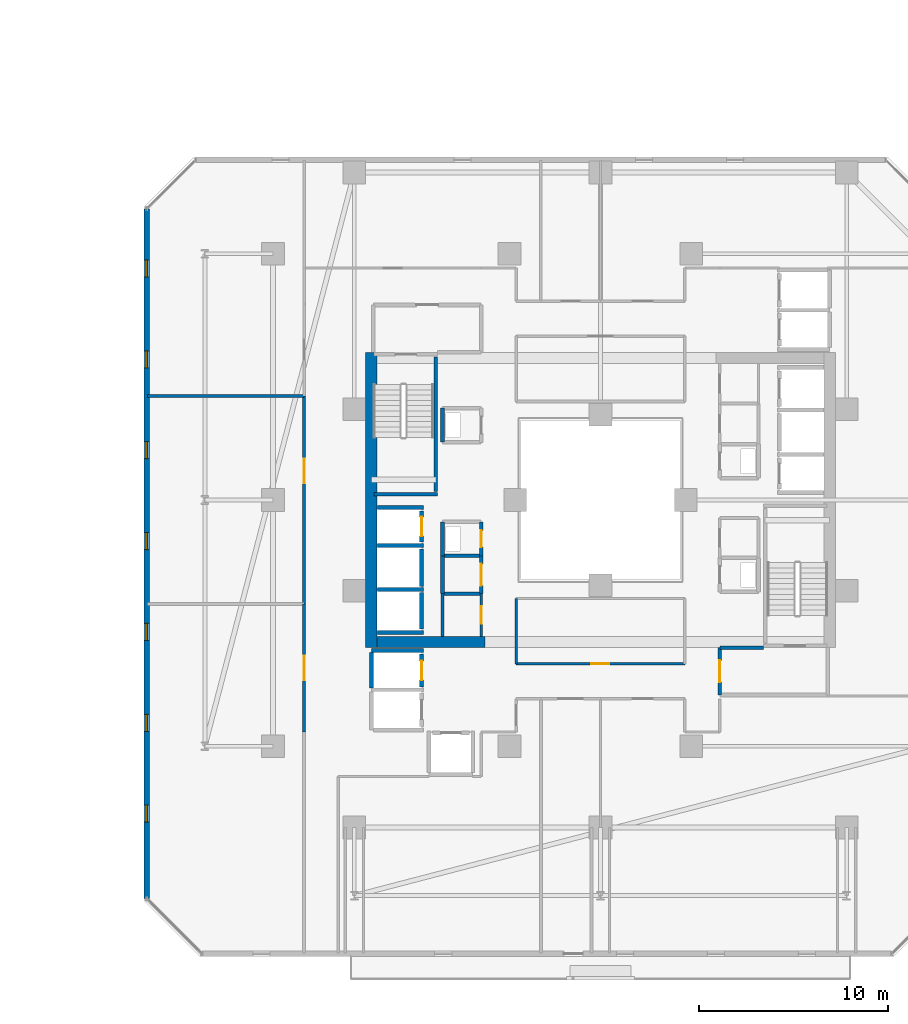
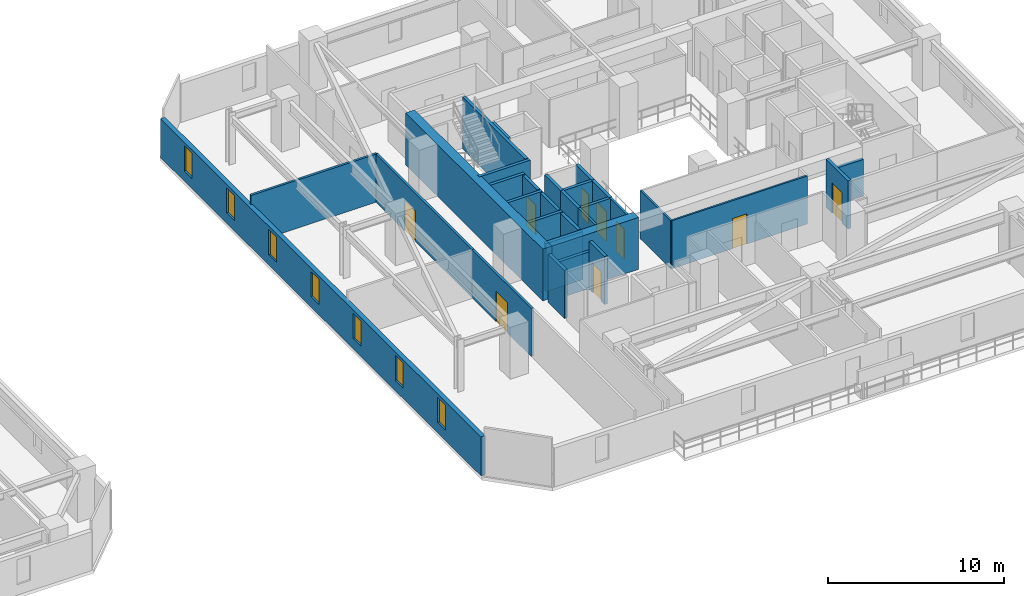
# One storey, part 24 of 33: 31 walls, 9 doors, 7 windows, 16 openings.
"""IFC4 building model written with IfcOpenShell, lengths in metres."""

from ifc_helpers import new_model, si_unit, direction, frame, frame_2d, origin, place, context, subcontext, project, spatial, rectangle, extrude, material, layer, layer_set, type_object, element, fill, save


model = new_model("IFC4")

# Units and contexts
model_context = context("Model", 3, precision=1e-05, world=origin(), true_north=direction((0.0, 1.0)))
body_context = subcontext(model_context, "Body", "Model", "MODEL_VIEW")
ifc_project = project(units=[si_unit("LENGTHUNIT", "METRE"), si_unit("AREAUNIT", "SQUARE_METRE"), si_unit("VOLUMEUNIT", "CUBIC_METRE"), si_unit("PLANEANGLEUNIT", "RADIAN"), si_unit("MASSUNIT", "GRAM", prefix="KILO")], contexts=[model_context])

# Site, building, storey
site_placement = place(None, origin())
site = spatial("IfcSite", under=ifc_project, at=site_placement, CompositionType="ELEMENT")
building_placement = place(site_placement, origin())
building = spatial("IfcBuilding", under=site, at=building_placement, Name="Thornwick Lancets Civic Towers", CompositionType="ELEMENT")
storey_placement = place(building_placement, frame((0.0, 0.0, 112.5)))
storey = spatial("IfcBuildingStorey", under=building, at=storey_placement, Name="L29", CompositionType="ELEMENT", Elevation=112.5)

# Wall, opening, door
ifc_material_1 = material(Name="Concrete blockwork C40/50", Category="masonry")
ifc_layer_1 = layer(ifc_material_1, 0.199951171875, Name="Concrete blockwork C40/50")
ifc_layer_set_1 = layer_set([ifc_layer_1], Name="Concrete blockwork C40/50")
wall_type_1 = type_object("IfcWallType", Name="WALL_COMP_200", PredefinedType="STANDARD", material=ifc_layer_set_1)
wall_1_placement = place(storey_placement, frame((79.050048828125, 24.780029296875, 0.0), z_axis=(0.0, 0.0, 1.0), x_axis=(0.0, 1.0, 0.0)))
wall_1 = element("IfcWall", 1, at=wall_1_placement, inside=storey, type_object=wall_type_1, Name="L29 Hoistway Front Wall FL-B2", PredefinedType="STANDARD", context=body_context, shape_type="SweptSolid", body=[
    extrude(rectangle(XDim=1.639892578125, YDim=0.199951171875, at=frame_2d((0.81982421875, 0.0))), origin(), (0.0, 0.0, 1.0), 3.340087890625),
])
opening_1_placement = place(wall_1_placement, frame((0.31005859375, 0.0, 0.0)))
opening_1 = element("IfcOpeningElement", 2, at=opening_1_placement, cuts=wall_1, Name="Opening LD-FL-B2", PredefinedType="OPENING", context=body_context, shape_type="SweptSolid", body=[
    extrude(rectangle(XDim=1.02001953125, YDim=2.06005859375, at=frame_2d((0.510009765625, 1.030029296875))), frame((0.0, 0.10986328125, 0.0), z_axis=(0.0, -1.0, 0.0), x_axis=(1.0, 0.0, 0.0)), (0.0, 0.0, 1.0), 0.219970703125),
])
ifc_material_2 = material(Name="Brushed bronze stainless steel", Category="steel")
door_type_1 = type_object("IfcDoorType", Name="DOOR_LIFT_SLIDE", OperationType="SLIDING_TO_LEFT", PredefinedType="DOOR", material=ifc_material_2)
door_1_placement = place(opening_1_placement, origin())
door_1 = element("IfcDoor", 3, at=door_1_placement, inside=storey, type_object=door_type_1, Name="L29 Sliding Lift Landing Door LD-FL-B2", OperationType="SLIDING_TO_LEFT", OverallHeight=2.06005859375, OverallWidth=1.02001953125, PredefinedType="DOOR", context=body_context, shape_type="SweptSolid", body=[
    extrude(rectangle(XDim=1.02001953125, YDim=2.06005859375, at=frame_2d((0.510009765625, 1.030029296875))), frame((0.0, 0.02490234375, 0.0), z_axis=(0.0, -1.0, 0.0), x_axis=(1.0, 0.0, 0.0)), (0.0, 0.0, 1.0), 0.050048828125),
])
fill(opening_1, door_1)

# Walls
wall_2_placement = place(storey_placement, frame((79.050048828125, 22.429931640625, 0.0), z_axis=(0.0, 0.0, 1.0), x_axis=(0.0, 1.0, 0.0)))
element("IfcWall", 4, at=wall_2_placement, inside=storey, type_object=wall_type_1, Name="L29 Hoistway Front Wall PL-BH2", PredefinedType="STANDARD", context=body_context, shape_type="SweptSolid", body=[
    extrude(rectangle(XDim=1.989990234375, YDim=0.199951171875, at=frame_2d((0.9951171875, 0.0))), origin(), (0.0, 0.0, 1.0), 3.340087890625),
])
wall_3_placement = place(storey_placement, frame((79.050048828125, 20.179931640625, 0.0), z_axis=(0.0, 0.0, 1.0), x_axis=(0.0, 1.0, 0.0)))
element("IfcWall", 5, at=wall_3_placement, inside=storey, type_object=wall_type_1, Name="L29 Hoistway Front Wall PL-BH3", PredefinedType="STANDARD", context=body_context, shape_type="SweptSolid", body=[
    extrude(rectangle(XDim=1.940185546875, YDim=0.199951171875, at=frame_2d((0.97021484375, 0.0))), origin(), (0.0, 0.0, 1.0), 3.340087890625),
])

# Wall, opening, door
wall_4_placement = place(storey_placement, frame((79.050048828125, 17.1298828125, 0.0), z_axis=(0.0, 0.0, 1.0), x_axis=(0.0, 1.0, 0.0)))
wall_4 = element("IfcWall", 6, at=wall_4_placement, inside=storey, type_object=wall_type_1, Name="L29 Hoistway Front Wall PL-BM1", PredefinedType="STANDARD", context=body_context, shape_type="SweptSolid", body=[
    extrude(rectangle(XDim=1.740234375, YDim=0.199951171875, at=frame_2d((0.8701171875, 0.0))), origin(), (0.0, 0.0, 1.0), 3.340087890625),
])
opening_2_placement = place(wall_4_placement, frame((0.360107421875, 0.0, 0.0)))
opening_2 = element("IfcOpeningElement", 7, at=opening_2_placement, cuts=wall_4, Name="Opening LD-PL-BM1", PredefinedType="OPENING", context=body_context, shape_type="SweptSolid", body=[
    extrude(rectangle(XDim=1.02001953125, YDim=2.06005859375, at=frame_2d((0.510009765625, 1.030029296875))), frame((0.0, 0.10986328125, 0.0), z_axis=(0.0, -1.0, 0.0), x_axis=(1.0, 0.0, 0.0)), (0.0, 0.0, 1.0), 0.219970703125),
])
door_2_placement = place(opening_2_placement, origin())
door_2 = element("IfcDoor", 8, at=door_2_placement, inside=storey, type_object=door_type_1, Name="L29 Sliding Lift Landing Door LD-PL-BM1", OperationType="SLIDING_TO_LEFT", OverallHeight=2.06005859375, OverallWidth=1.02001953125, PredefinedType="DOOR", context=body_context, shape_type="SweptSolid", body=[
    extrude(rectangle(XDim=1.02001953125, YDim=2.06005859375, at=frame_2d((0.510009765625, 1.030029296875))), frame((0.0, 0.02490234375, 0.0), z_axis=(0.0, -1.0, 0.0), x_axis=(1.0, 0.0, 0.0)), (0.0, 0.0, 1.0), 0.050048828125),
])
fill(opening_2, door_2)

# Walls
for number, where, z_axis, x_axis, name in (
    (9, (76.7119140625, 26.60009765625, 0.0), (0.0, 0.0, 1.0), (1.0, 0.0, 0.0), "L29 Hoistway Shaft Wall FL-B2 N"),
    (10, (76.7119140625, 24.60009765625, 0.0), (0.0, 0.0, 1.0), (1.0, 0.0, 0.0), "L29 Hoistway Shaft Wall FL-B2 S"),
    (11, (76.7119140625, 22.27490234375, 0.0), (0.0, 0.0, 1.0), (1.0, 0.0, 0.0), "L29 Hoistway Shaft Wall PL-BH2 S"),
    (12, (76.7119140625, 20.0, 0.0), (0.0, 0.0, 1.0), (1.0, 0.0, 0.0), "L29 Hoistway Shaft Wall PL-BH3 S"),
):
    element("IfcWall", number, at=place(storey_placement, frame(where, z_axis=z_axis, x_axis=x_axis)), inside=storey, type_object=wall_type_1, Name=name, PredefinedType="STANDARD", context=body_context, shape_type="SweptSolid", body=[
        extrude(rectangle(XDim=2.43603515625, YDim=0.199951171875, at=frame_2d((1.218017578125, 0.0))), origin(), (0.0, 0.0, 1.0), 3.340087890625),
    ])
wall_5_placement = place(storey_placement, frame((76.402099609375, 19.050048828125, 0.0), z_axis=(0.0, 0.0, 1.0), x_axis=(1.0, 0.0, 0.0)))
element("IfcWall", 13, at=wall_5_placement, inside=storey, type_object=wall_type_1, Name="L29 Hoistway Shaft Wall PL-BM1 N", PredefinedType="STANDARD", context=body_context, shape_type="SweptSolid", body=[
    extrude(rectangle(XDim=2.745849609375, YDim=0.199951171875, at=frame_2d((1.373046875, 0.0))), origin(), (0.0, 0.0, 1.0), 2.544921875),
])
wall_6_placement = place(storey_placement, frame((76.39990234375, 17.08203125, 0.0), z_axis=(0.0, 0.0, 1.0), x_axis=(0.0, 1.0, 0.0)))
element("IfcWall", 14, at=wall_6_placement, inside=storey, type_object=wall_type_1, Name="L29 Hoistway Shaft Wall PL-BM1 W", PredefinedType="STANDARD", context=body_context, shape_type="SweptSolid", body=[
    extrude(rectangle(XDim=1.85595703125, YDim=0.199951171875, at=frame_2d((0.927978515625, 0.0))), origin(), (0.0, 0.0, 1.0), 3.340087890625),
])
wall_7_placement = place(storey_placement, frame((97.10009765625, 19.199951171875, 0.0), z_axis=(0.0, 0.0, 1.0), x_axis=(-1.0, 0.0, 0.0)))
element("IfcWall", 15, at=wall_7_placement, inside=storey, type_object=wall_type_1, Name="L29 Partition L29-B-FFLOB1 E3", PredefinedType="STANDARD", context=body_context, shape_type="SweptSolid", body=[
    extrude(rectangle(XDim=2.300048828125, YDim=0.199951171875, at=frame_2d((1.14990234375, 0.0))), origin(), (0.0, 0.0, 1.0), 2.544921875),
])

# Wall, opening, door
wall_8_placement = place(storey_placement, frame((94.800048828125, 19.199951171875, 0.0), z_axis=(0.0, 0.0, 1.0), x_axis=(0.0, -1.0, 0.0)))
wall_8 = element("IfcWall", 16, at=wall_8_placement, inside=storey, type_object=wall_type_1, Name="L29 Partition L29-B-FFLOB1 E4", PredefinedType="STANDARD", context=body_context, shape_type="SweptSolid", body=[
    extrude(rectangle(XDim=2.5, YDim=0.199951171875, at=frame_2d((1.25, 0.0))), origin(), (0.0, 0.0, 1.0), 3.340087890625),
])
opening_3_placement = place(wall_8_placement, frame((0.675048828125, 0.0, 0.0)))
opening_3 = element("IfcOpeningElement", 17, at=opening_3_placement, cuts=wall_8, Name="Opening D-L29-1332", PredefinedType="OPENING", context=body_context, shape_type="SweptSolid", body=[
    extrude(rectangle(XDim=1.14990234375, YDim=2.10009765625, at=frame_2d((0.574951171875, 1.050048828125))), frame((0.0, 0.10986328125, 0.0), z_axis=(0.0, -1.0, 0.0), x_axis=(1.0, 0.0, 0.0)), (0.0, 0.0, 1.0), 0.219970703125),
])
ifc_material_3 = material(Name="Glazed fire-resisting steel", Category="steel")
door_type_2 = type_object("IfcDoorType", Name="DOOR_LOBBY_FD60", OperationType="NOTDEFINED", PredefinedType="DOOR", material=ifc_material_3)
door_3_placement = place(opening_3_placement, origin())
door_3 = element("IfcDoor", 18, at=door_3_placement, inside=storey, type_object=door_type_2, Name="L29 East Firefighting Lobby 1 Door", OperationType="SINGLE_SWING_LEFT", OverallHeight=2.10009765625, OverallWidth=1.14990234375, PredefinedType="DOOR", context=body_context, shape_type="SweptSolid", body=[
    extrude(rectangle(XDim=1.14990234375, YDim=2.10009765625, at=frame_2d((0.574951171875, 1.050048828125))), frame((0.0, 0.02490234375, 0.0), z_axis=(0.0, -1.0, 0.0), x_axis=(1.0, 0.0, 0.0)), (0.0, 0.0, 1.0), 0.050048828125),
])
fill(opening_3, door_3)

# Wall
wall_9_placement = place(storey_placement, frame((80.14990234375, 24.050048828125, 0.0), z_axis=(0.0, 0.0, 1.0), x_axis=(1.0, 0.0, 0.0)))
element("IfcWall", 19, at=wall_9_placement, inside=storey, type_object=wall_type_1, Name="L29 Partition L29-B-DUCT2 E1", PredefinedType="STANDARD", context=body_context, shape_type="SweptSolid", body=[
    extrude(rectangle(XDim=2.050048828125, YDim=0.199951171875, at=frame_2d((1.02490234375, 0.0))), origin(), (0.0, 0.0, 1.0), 3.340087890625),
])

# Wall, opening, door
wall_10_placement = place(storey_placement, frame((82.199951171875, 24.050048828125, 0.0), z_axis=(0.0, 0.0, 1.0), x_axis=(0.0, 1.0, 0.0)))
wall_10 = element("IfcWall", 20, at=wall_10_placement, inside=storey, type_object=wall_type_1, Name="L29 Partition L29-B-DUCT2 E2", PredefinedType="STANDARD", context=body_context, shape_type="SweptSolid", body=[
    extrude(rectangle(XDim=1.800048828125, YDim=0.199951171875, at=frame_2d((0.89990234375, 0.0))), origin(), (0.0, 0.0, 1.0), 3.340087890625),
])
opening_4_placement = place(wall_10_placement, frame((0.4599609375, 0.0, 0.0)))
opening_4 = element("IfcOpeningElement", 21, at=opening_4_placement, cuts=wall_10, Name="Opening D-L29-1336", PredefinedType="OPENING", context=body_context, shape_type="SweptSolid", body=[
    extrude(rectangle(XDim=0.8798828125, YDim=2.0400390625, at=frame_2d((0.43994140625, 1.02001953125))), frame((0.0, 0.10986328125, 0.0), z_axis=(0.0, -1.0, 0.0), x_axis=(1.0, 0.0, 0.0)), (0.0, 0.0, 1.0), 0.219970703125),
])
ifc_material_4 = material(Name="Steel riser access doorset", Category="steel")
door_type_3 = type_object("IfcDoorType", Name="DOOR_RISER_850", OperationType="NOTDEFINED", PredefinedType="DOOR", material=ifc_material_4)
door_4_placement = place(opening_4_placement, origin())
door_4 = element("IfcDoor", 22, at=door_4_placement, inside=storey, type_object=door_type_3, Name="L29 West Service Duct 2 Door", OperationType="SINGLE_SWING_LEFT", OverallHeight=2.0400390625, OverallWidth=0.8798828125, PredefinedType="DOOR", context=body_context, shape_type="SweptSolid", body=[
    extrude(rectangle(XDim=0.8798828125, YDim=2.0400390625, at=frame_2d((0.43994140625, 1.02001953125))), frame((0.0, 0.02490234375, 0.0), z_axis=(0.0, -1.0, 0.0), x_axis=(1.0, 0.0, 0.0)), (0.0, 0.0, 1.0), 0.050048828125),
])
fill(opening_4, door_4)

# Walls
for number, where, z_axis, x_axis, name in (
    (23, (80.14990234375, 25.85009765625, 0.0), (0.0, 0.0, 1.0), (0.0, -1.0, 0.0), "L29 Partition L29-B-DUCT2 E4"),
    (24, (80.14990234375, 31.85009765625, 0.0), (0.0, 0.0, 1.0), (0.0, -1.0, 0.0), "L29 Partition L29-B-RISER2 E4"),
):
    element("IfcWall", number, at=place(storey_placement, frame(where, z_axis=z_axis, x_axis=x_axis)), inside=storey, type_object=wall_type_1, Name=name, PredefinedType="STANDARD", context=body_context, shape_type="SweptSolid", body=[
        extrude(rectangle(XDim=1.800048828125, YDim=0.199951171875, at=frame_2d((0.89990234375, 0.0))), origin(), (0.0, 0.0, 1.0), 3.340087890625),
    ])
wall_11_placement = place(storey_placement, frame((80.14990234375, 22.050048828125, 0.0), z_axis=(0.0, 0.0, 1.0), x_axis=(0.0, 1.0, 0.0)))
element("IfcWall", 25, at=wall_11_placement, inside=storey, type_object=wall_type_1, Name="L29 Partition L29-B-STR E1", PredefinedType="STANDARD", context=body_context, shape_type="SweptSolid", body=[
    extrude(rectangle(XDim=2.0, YDim=0.199951171875, at=frame_2d((1.0, 0.0))), origin(), (0.0, 0.0, 1.0), 3.340087890625),
])

# Wall, opening, door
wall_12_placement = place(storey_placement, frame((82.199951171875, 24.050048828125, 0.0), z_axis=(0.0, 0.0, 1.0), x_axis=(0.0, -1.0, 0.0)))
wall_12 = element("IfcWall", 26, at=wall_12_placement, inside=storey, type_object=wall_type_1, Name="L29 Partition L29-B-STR E3", PredefinedType="STANDARD", context=body_context, shape_type="SweptSolid", body=[
    extrude(rectangle(XDim=2.0, YDim=0.199951171875, at=frame_2d((1.0, 0.0))), origin(), (0.0, 0.0, 1.0), 3.340087890625),
])
opening_5_placement = place(wall_12_placement, frame((0.425048828125, 0.0, 0.0)))
opening_5 = element("IfcOpeningElement", 27, at=opening_5_placement, cuts=wall_12, Name="Opening D-L29-1342", PredefinedType="OPENING", context=body_context, shape_type="SweptSolid", body=[
    extrude(rectangle(XDim=1.14990234375, YDim=2.10009765625, at=frame_2d((0.574951171875, 1.050048828125))), frame((0.0, 0.10986328125, 0.0), z_axis=(0.0, -1.0, 0.0), x_axis=(1.0, 0.0, 0.0)), (0.0, 0.0, 1.0), 0.219970703125),
])
door_5_placement = place(opening_5_placement, origin())
door_5 = element("IfcDoor", 28, at=door_5_placement, inside=storey, type_object=door_type_2, Name="L29 Tower B Core Records Store Door", OperationType="SINGLE_SWING_LEFT", OverallHeight=2.10009765625, OverallWidth=1.14990234375, PredefinedType="DOOR", context=body_context, shape_type="SweptSolid", body=[
    extrude(rectangle(XDim=1.14990234375, YDim=2.10009765625, at=frame_2d((0.574951171875, 1.050048828125))), frame((0.0, 0.02490234375, 0.0), z_axis=(0.0, -1.0, 0.0), x_axis=(1.0, 0.0, 0.0)), (0.0, 0.0, 1.0), 0.050048828125),
])
fill(opening_5, door_5)

# Walls
wall_13_placement = place(storey_placement, frame((82.199951171875, 22.050048828125, 0.0), z_axis=(0.0, 0.0, 1.0), x_axis=(-1.0, 0.0, 0.0)))
element("IfcWall", 29, at=wall_13_placement, inside=storey, type_object=wall_type_1, Name="L29 Partition L29-B-STR E4", PredefinedType="STANDARD", context=body_context, shape_type="SweptSolid", body=[
    extrude(rectangle(XDim=2.050048828125, YDim=0.199951171875, at=frame_2d((1.02490234375, 0.0))), origin(), (0.0, 0.0, 1.0), 3.340087890625),
])
ifc_material_5 = material(Name="Concrete C60/75", Category="concrete")
ifc_layer_2 = layer(ifc_material_5, 0.60009765625, Name="Concrete C60/75")
ifc_layer_set_2 = layer_set([ifc_layer_2], Name="Concrete C60/75")
wall_type_2 = type_object("IfcWallType", Name="WALL_CORE_600", PredefinedType="SHEAR", material=ifc_layer_set_2)
wall_14_placement = place(storey_placement, frame((76.39990234375, 19.199951171875, 0.0), z_axis=(0.0, 0.0, 1.0), x_axis=(0.0, 1.0, 0.0)))
element("IfcWall", 30, at=wall_14_placement, inside=storey, type_object=wall_type_2, Name="L29 Split Core B2 Shear Wall W", PredefinedType="SHEAR", context=body_context, shape_type="SweptSolid", body=[
    extrude(rectangle(XDim=15.60009765625, YDim=0.60009765625, at=frame_2d((7.800048828125, 0.0))), origin(), (0.0, 0.0, 1.0), 3.60009765625),
])
wall_15_placement = place(storey_placement, frame((76.699951171875, 19.5, 0.0), z_axis=(0.0, 0.0, 1.0), x_axis=(1.0, 0.0, 0.0)))
element("IfcWall", 31, at=wall_15_placement, inside=storey, type_object=wall_type_2, Name="L29 Split Core B2 Shear Wall S", PredefinedType="SHEAR", context=body_context, shape_type="SweptSolid", body=[
    extrude(rectangle(XDim=5.699951171875, YDim=0.60009765625, at=frame_2d((2.85009765625, 0.0))), origin(), (0.0, 0.0, 1.0), 3.60009765625),
])

# Wall, openings, windows
ifc_material_6 = material(Name="Insulated russet terracotta rainscreen on concrete C40/50", Category="masonry")
ifc_layer_3 = layer(ifc_material_6, 0.300048828125, Name="Insulated russet terracotta rainscreen on concrete C40/50")
ifc_layer_set_3 = layer_set([ifc_layer_3], Name="Insulated russet terracotta rainscreen on concrete C40/50")
wall_type_3 = type_object("IfcWallType", Name="WALL_EXT_RUSSET_300", PredefinedType="STANDARD", material=ifc_layer_set_3)
wall_16_placement = place(storey_placement, frame((64.535400390625, 42.38134765625, 0.0), z_axis=(0.0, 0.0, 1.0), x_axis=(2.6801568e-05, -0.999999999641, 0.0)))
wall_16 = element("IfcWall", 32, at=wall_16_placement, inside=storey, type_object=wall_type_3, Name="L29 Tower B Terracotta Facade Wall E6", PredefinedType="STANDARD", context=body_context, shape_type="SweptSolid", body=[
    extrude(rectangle(XDim=36.436767578125, YDim=0.300048828125, at=frame_2d((18.21826171875, 0.0))), origin(), (0.0, 0.0, 1.0), 2.699951171875),
])
opening_6_placement = place(wall_16_placement, frame((2.699951171875, 0.0, 0.719970703125)))
opening_6 = element("IfcOpeningElement", 33, at=opening_6_placement, cuts=wall_16, Name="Opening WL-01", PredefinedType="OPENING", context=body_context, shape_type="SweptSolid", body=[
    extrude(rectangle(XDim=0.89990234375, YDim=1.75, at=frame_2d((0.449951171875, 0.875))), frame((0.0, 0.16015625, 0.0), z_axis=(0.0, -1.0, 0.0), x_axis=(1.0, 0.0, 0.0)), (0.0, 0.0, 1.0), 0.320068359375),
])
opening_7_placement = place(wall_16_placement, frame((7.5, 0.0, 0.719970703125)))
opening_7 = element("IfcOpeningElement", 34, at=opening_7_placement, cuts=wall_16, Name="Opening WL-01", PredefinedType="OPENING", context=body_context, shape_type="SweptSolid", body=[
    extrude(rectangle(XDim=0.89990234375, YDim=1.75, at=frame_2d((0.449951171875, 0.875))), frame((0.0, 0.16015625, 0.0), z_axis=(0.0, -1.0, 0.0), x_axis=(1.0, 0.0, 0.0)), (0.0, 0.0, 1.0), 0.320068359375),
])
opening_8_placement = place(wall_16_placement, frame((12.300048828125, 0.0, 0.719970703125)))
opening_8 = element("IfcOpeningElement", 35, at=opening_8_placement, cuts=wall_16, Name="Opening WL-01", PredefinedType="OPENING", context=body_context, shape_type="SweptSolid", body=[
    extrude(rectangle(XDim=0.89990234375, YDim=1.75, at=frame_2d((0.449951171875, 0.875))), frame((0.0, 0.16015625, 0.0), z_axis=(0.0, -1.0, 0.0), x_axis=(1.0, 0.0, 0.0)), (0.0, 0.0, 1.0), 0.320068359375),
])
opening_9_placement = place(wall_16_placement, frame((17.10009765625, 0.0, 0.719970703125)))
opening_9 = element("IfcOpeningElement", 36, at=opening_9_placement, cuts=wall_16, Name="Opening WL-01", PredefinedType="OPENING", context=body_context, shape_type="SweptSolid", body=[
    extrude(rectangle(XDim=0.89990234375, YDim=1.75, at=frame_2d((0.449951171875, 0.875))), frame((0.0, 0.16015625, 0.0), z_axis=(0.0, -1.0, 0.0), x_axis=(1.0, 0.0, 0.0)), (0.0, 0.0, 1.0), 0.320068359375),
])
opening_10_placement = place(wall_16_placement, frame((21.89990234375, 0.0, 0.719970703125)))
opening_10 = element("IfcOpeningElement", 37, at=opening_10_placement, cuts=wall_16, Name="Opening WL-01", PredefinedType="OPENING", context=body_context, shape_type="SweptSolid", body=[
    extrude(rectangle(XDim=0.89990234375, YDim=1.75, at=frame_2d((0.449951171875, 0.875))), frame((0.0, 0.16015625, 0.0), z_axis=(0.0, -1.0, 0.0), x_axis=(1.0, 0.0, 0.0)), (0.0, 0.0, 1.0), 0.320068359375),
])
opening_11_placement = place(wall_16_placement, frame((26.699951171875, 0.0, 0.719970703125)))
opening_11 = element("IfcOpeningElement", 38, at=opening_11_placement, cuts=wall_16, Name="Opening WL-01", PredefinedType="OPENING", context=body_context, shape_type="SweptSolid", body=[
    extrude(rectangle(XDim=0.89990234375, YDim=1.75, at=frame_2d((0.449951171875, 0.875))), frame((0.0, 0.16015625, 0.0), z_axis=(0.0, -1.0, 0.0), x_axis=(1.0, 0.0, 0.0)), (0.0, 0.0, 1.0), 0.320068359375),
])
opening_12_placement = place(wall_16_placement, frame((31.5, 0.0, 0.719970703125)))
opening_12 = element("IfcOpeningElement", 39, at=opening_12_placement, cuts=wall_16, Name="Opening WL-01", PredefinedType="OPENING", context=body_context, shape_type="SweptSolid", body=[
    extrude(rectangle(XDim=0.89990234375, YDim=1.75, at=frame_2d((0.449951171875, 0.875))), frame((0.0, 0.16015625, 0.0), z_axis=(0.0, -1.0, 0.0), x_axis=(1.0, 0.0, 0.0)), (0.0, 0.0, 1.0), 0.320068359375),
])
ifc_material_7 = material(Name="Clear low-e double glazing in bronze frame", Category="glass")
window_type = type_object("IfcWindowType", Name="WIN_LANCET_900", PartitioningType="SINGLE_PANEL", PredefinedType="WINDOW", material=ifc_material_7)
window_1_placement = place(opening_6_placement, origin())
window_1 = element("IfcWindow", 40, at=window_1_placement, inside=storey, type_object=window_type, Name="L29 Tower B Staggered Lancet Window E6-1", OverallHeight=1.75, OverallWidth=0.89990234375, PartitioningType="SINGLE_PANEL", PredefinedType="WINDOW", context=body_context, shape_type="SweptSolid", body=[
    extrude(rectangle(XDim=0.89990234375, YDim=1.75, at=frame_2d((0.449951171875, 0.875))), frame((0.0, 0.030029296875, 0.0), z_axis=(0.0, -1.0, 0.0), x_axis=(1.0, 0.0, 0.0)), (0.0, 0.0, 1.0), 0.06005859375),
])
fill(opening_6, window_1)
window_2_placement = place(opening_7_placement, origin())
window_2 = element("IfcWindow", 41, at=window_2_placement, inside=storey, type_object=window_type, Name="L29 Tower B Staggered Lancet Window E6-2", OverallHeight=1.75, OverallWidth=0.89990234375, PartitioningType="SINGLE_PANEL", PredefinedType="WINDOW", context=body_context, shape_type="SweptSolid", body=[
    extrude(rectangle(XDim=0.89990234375, YDim=1.75, at=frame_2d((0.449951171875, 0.875))), frame((0.0, 0.030029296875, 0.0), z_axis=(0.0, -1.0, 0.0), x_axis=(1.0, 0.0, 0.0)), (0.0, 0.0, 1.0), 0.06005859375),
])
fill(opening_7, window_2)
window_3_placement = place(opening_8_placement, origin())
window_3 = element("IfcWindow", 42, at=window_3_placement, inside=storey, type_object=window_type, Name="L29 Tower B Staggered Lancet Window E6-3", OverallHeight=1.75, OverallWidth=0.89990234375, PartitioningType="SINGLE_PANEL", PredefinedType="WINDOW", context=body_context, shape_type="SweptSolid", body=[
    extrude(rectangle(XDim=0.89990234375, YDim=1.75, at=frame_2d((0.449951171875, 0.875))), frame((0.0, 0.030029296875, 0.0), z_axis=(0.0, -1.0, 0.0), x_axis=(1.0, 0.0, 0.0)), (0.0, 0.0, 1.0), 0.06005859375),
])
fill(opening_8, window_3)
window_4_placement = place(opening_9_placement, origin())
window_4 = element("IfcWindow", 43, at=window_4_placement, inside=storey, type_object=window_type, Name="L29 Tower B Staggered Lancet Window E6-4", OverallHeight=1.75, OverallWidth=0.89990234375, PartitioningType="SINGLE_PANEL", PredefinedType="WINDOW", context=body_context, shape_type="SweptSolid", body=[
    extrude(rectangle(XDim=0.89990234375, YDim=1.75, at=frame_2d((0.449951171875, 0.875))), frame((0.0, 0.030029296875, 0.0), z_axis=(0.0, -1.0, 0.0), x_axis=(1.0, 0.0, 0.0)), (0.0, 0.0, 1.0), 0.06005859375),
])
fill(opening_9, window_4)
window_5_placement = place(opening_10_placement, origin())
window_5 = element("IfcWindow", 44, at=window_5_placement, inside=storey, type_object=window_type, Name="L29 Tower B Staggered Lancet Window E6-5", OverallHeight=1.75, OverallWidth=0.89990234375, PartitioningType="SINGLE_PANEL", PredefinedType="WINDOW", context=body_context, shape_type="SweptSolid", body=[
    extrude(rectangle(XDim=0.89990234375, YDim=1.75, at=frame_2d((0.449951171875, 0.875))), frame((0.0, 0.030029296875, 0.0), z_axis=(0.0, -1.0, 0.0), x_axis=(1.0, 0.0, 0.0)), (0.0, 0.0, 1.0), 0.06005859375),
])
fill(opening_10, window_5)
window_6_placement = place(opening_11_placement, origin())
window_6 = element("IfcWindow", 45, at=window_6_placement, inside=storey, type_object=window_type, Name="L29 Tower B Staggered Lancet Window E6-6", OverallHeight=1.75, OverallWidth=0.89990234375, PartitioningType="SINGLE_PANEL", PredefinedType="WINDOW", context=body_context, shape_type="SweptSolid", body=[
    extrude(rectangle(XDim=0.89990234375, YDim=1.75, at=frame_2d((0.449951171875, 0.875))), frame((0.0, 0.030029296875, 0.0), z_axis=(0.0, -1.0, 0.0), x_axis=(1.0, 0.0, 0.0)), (0.0, 0.0, 1.0), 0.06005859375),
])
fill(opening_11, window_6)
window_7_placement = place(opening_12_placement, origin())
window_7 = element("IfcWindow", 46, at=window_7_placement, inside=storey, type_object=window_type, Name="L29 Tower B Staggered Lancet Window E6-7", OverallHeight=1.75, OverallWidth=0.89990234375, PartitioningType="SINGLE_PANEL", PredefinedType="WINDOW", context=body_context, shape_type="SweptSolid", body=[
    extrude(rectangle(XDim=0.89990234375, YDim=1.75, at=frame_2d((0.449951171875, 0.875))), frame((0.0, 0.030029296875, 0.0), z_axis=(0.0, -1.0, 0.0), x_axis=(1.0, 0.0, 0.0)), (0.0, 0.0, 1.0), 0.06005859375),
])
fill(opening_12, window_7)

# Wall
ifc_material_8 = material(Name="Acoustic gypsum board partition")
ifc_layer_4 = layer(ifc_material_8, 0.1201171875, Name="Acoustic gypsum board partition")
ifc_layer_set_4 = layer_set([ifc_layer_4], Name="Acoustic gypsum board partition")
wall_type_4 = type_object("IfcWallType", Name="WALL_PART_120", PredefinedType="PARTITIONING", material=ifc_layer_set_4)
wall_17_placement = place(storey_placement, frame((84.050048828125, 18.35009765625, 0.0), z_axis=(0.0, 0.0, 1.0), x_axis=(0.0, 1.0, 0.0)))
element("IfcWall", 47, at=wall_17_placement, inside=storey, type_object=wall_type_4, Name="L29 Partition L29-B-ATR-W E1", PredefinedType="PARTITIONING", context=body_context, shape_type="SweptSolid", body=[
    extrude(rectangle(XDim=3.449951171875, YDim=0.1201171875, at=frame_2d((1.72509765625, 0.0))), origin(), (0.0, 0.0, 1.0), 3.340087890625),
])

# Wall, opening, door
wall_18_placement = place(storey_placement, frame((92.949951171875, 18.35009765625, 0.0), z_axis=(0.0, 0.0, 1.0), x_axis=(-1.0, 0.0, 0.0)))
wall_18 = element("IfcWall", 48, at=wall_18_placement, inside=storey, type_object=wall_type_4, Name="L29 Partition L29-B-ATR-W E4", PredefinedType="PARTITIONING", context=body_context, shape_type="SweptSolid", body=[
    extrude(rectangle(XDim=8.89990234375, YDim=0.1201171875, at=frame_2d((4.449951171875, 0.0))), origin(), (0.0, 0.0, 1.0), 3.340087890625),
])
opening_13_placement = place(wall_18_placement, frame((3.97509765625, 0.0, 0.0)))
opening_13 = element("IfcOpeningElement", 49, at=opening_13_placement, cuts=wall_18, Name="Opening D-L29-1361", PredefinedType="OPENING", context=body_context, shape_type="SweptSolid", body=[
    extrude(rectangle(XDim=0.949951171875, YDim=2.10009765625, at=frame_2d((0.47509765625, 1.050048828125))), frame((0.0, 0.070068359375, 0.0), z_axis=(0.0, -1.0, 0.0), x_axis=(1.0, 0.0, 0.0)), (0.0, 0.0, 1.0), 0.14013671875),
])
ifc_material_9 = material(Name="European oak acoustic doorset")
door_type_4 = type_object("IfcDoorType", Name="DOOR_OFFICE_950", OperationType="NOTDEFINED", PredefinedType="DOOR", material=ifc_material_9)
door_6_placement = place(opening_13_placement, origin())
door_6 = element("IfcDoor", 50, at=door_6_placement, inside=storey, type_object=door_type_4, Name="L29 Tower B West Atrium Study Lounge Door", OperationType="SINGLE_SWING_RIGHT", OverallHeight=2.10009765625, OverallWidth=0.949951171875, PredefinedType="DOOR", context=body_context, shape_type="SweptSolid", body=[
    extrude(rectangle(XDim=0.949951171875, YDim=2.10009765625, at=frame_2d((0.47509765625, 1.050048828125))), frame((0.0, 0.02490234375, 0.0), z_axis=(0.0, -1.0, 0.0), x_axis=(1.0, 0.0, 0.0)), (0.0, 0.0, 1.0), 0.050048828125),
])
fill(opening_13, door_6)

ifc_material_10 = material(Name="Twin-stud acoustic gypsum board")
ifc_layer_5 = layer(ifc_material_10, 0.14990234375, Name="Twin-stud acoustic gypsum board")
ifc_layer_set_5 = layer_set([ifc_layer_5], Name="Twin-stud acoustic gypsum board")
wall_type_5 = type_object("IfcWallType", Name="WALL_PART_150", PredefinedType="PARTITIONING", material=ifc_layer_set_5)
wall_19_placement = place(storey_placement, frame((82.199951171875, 19.800048828125, 0.0), z_axis=(0.0, 0.0, 1.0), x_axis=(0.0, 1.0, 0.0)))
wall_19 = element("IfcWall", 51, at=wall_19_placement, inside=storey, type_object=wall_type_5, Name="L29 Partition L29-B-AWC E2", PredefinedType="PARTITIONING", context=body_context, shape_type="SweptSolid", body=[
    extrude(rectangle(XDim=2.25, YDim=0.14990234375, at=frame_2d((1.125, 0.0))), origin(), (0.0, 0.0, 1.0), 3.340087890625),
])
opening_14_placement = place(wall_19_placement, frame((0.6650390625, 0.0, 0.0)))
opening_14 = element("IfcOpeningElement", 52, at=opening_14_placement, cuts=wall_19, Name="Opening D-L29-1341", PredefinedType="OPENING", context=body_context, shape_type="SweptSolid", body=[
    extrude(rectangle(XDim=0.919921875, YDim=2.080078125, at=frame_2d((0.4599609375, 1.0400390625))), frame((0.0, 0.0849609375, 0.0), z_axis=(0.0, -1.0, 0.0), x_axis=(1.0, 0.0, 0.0)), (0.0, 0.0, 1.0), 0.169921875),
])
ifc_material_11 = material(Name="Moisture-resistant oak doorset")
door_type_5 = type_object("IfcDoorType", Name="DOOR_WC_900", OperationType="NOTDEFINED", PredefinedType="DOOR", material=ifc_material_11)
door_7_placement = place(opening_14_placement, origin())
door_7 = element("IfcDoor", 53, at=door_7_placement, inside=storey, type_object=door_type_5, Name="L29 Tower B Accessible WC Door", OperationType="SINGLE_SWING_RIGHT", OverallHeight=2.080078125, OverallWidth=0.919921875, PredefinedType="DOOR", context=body_context, shape_type="SweptSolid", body=[
    extrude(rectangle(XDim=0.919921875, YDim=2.080078125, at=frame_2d((0.4599609375, 1.0400390625))), frame((0.0, 0.02490234375, 0.0), z_axis=(0.0, -1.0, 0.0), x_axis=(1.0, 0.0, 0.0)), (0.0, 0.0, 1.0), 0.050048828125),
])
fill(opening_14, door_7)

# Wall
wall_20_placement = place(storey_placement, frame((80.14990234375, 22.050048828125, 0.0), z_axis=(0.0, 0.0, 1.0), x_axis=(0.0, -1.0, 0.0)))
element("IfcWall", 54, at=wall_20_placement, inside=storey, type_object=wall_type_5, Name="L29 Partition L29-B-AWC E4", PredefinedType="PARTITIONING", context=body_context, shape_type="SweptSolid", body=[
    extrude(rectangle(XDim=2.25, YDim=0.14990234375, at=frame_2d((1.125, 0.0))), origin(), (0.0, 0.0, 1.0), 3.340087890625),
])

# Wall, opening, door
wall_21_placement = place(storey_placement, frame((72.85009765625, 21.5, 0.0), z_axis=(0.0, 0.0, 1.0), x_axis=(0.0, -1.0, 0.0)))
wall_21 = element("IfcWall", 55, at=wall_21_placement, inside=storey, type_object=wall_type_5, Name="L29 Partition L29-B-N-CONF E6", PredefinedType="PARTITIONING", context=body_context, shape_type="SweptSolid", body=[
    extrude(rectangle(XDim=6.75, YDim=0.14990234375, at=frame_2d((3.375, 0.0))), origin(), (0.0, 0.0, 1.0), 3.340087890625),
])
opening_15_placement = place(wall_21_placement, frame((2.72509765625, 0.0, 0.0)))
opening_15 = element("IfcOpeningElement", 56, at=opening_15_placement, cuts=wall_21, Name="Opening D-L29-1362", PredefinedType="OPENING", context=body_context, shape_type="SweptSolid", body=[
    extrude(rectangle(XDim=1.300048828125, YDim=2.1201171875, at=frame_2d((0.64990234375, 1.06005859375))), frame((0.0, 0.0849609375, 0.0), z_axis=(0.0, -1.0, 0.0), x_axis=(1.0, 0.0, 0.0)), (0.0, 0.0, 1.0), 0.169921875),
])
ifc_material_12 = material(Name="Acoustic oak leaf-and-a-half doorset")
door_type_6 = type_object("IfcDoorType", Name="DOOR_MEET_1300", OperationType="DOUBLE_DOOR_SINGLE_SWING", PredefinedType="DOOR", material=ifc_material_12)
door_8_placement = place(opening_15_placement, origin())
door_8 = element("IfcDoor", 57, at=door_8_placement, inside=storey, type_object=door_type_6, Name="L29 Tower B North-West Conference Room Door", OperationType="DOUBLE_DOOR_SINGLE_SWING", OverallHeight=2.1201171875, OverallWidth=1.300048828125, PredefinedType="DOOR", context=body_context, shape_type="SweptSolid", body=[
    extrude(rectangle(XDim=1.300048828125, YDim=2.1201171875, at=frame_2d((0.64990234375, 1.06005859375))), frame((0.0, 0.02490234375, 0.0), z_axis=(0.0, -1.0, 0.0), x_axis=(1.0, 0.0, 0.0)), (0.0, 0.0, 1.0), 0.050048828125),
])
fill(opening_15, door_8)

# Wall
wall_22_placement = place(storey_placement, frame((64.580078125, 32.5, 0.0), z_axis=(0.0, 0.0, 1.0), x_axis=(1.0, 0.0, 0.0)))
element("IfcWall", 58, at=wall_22_placement, inside=storey, type_object=wall_type_5, Name="L29 Partition L29-B-N-MEET E3", PredefinedType="PARTITIONING", context=body_context, shape_type="SweptSolid", body=[
    extrude(rectangle(XDim=8.27001953125, YDim=0.14990234375, at=frame_2d((4.135009765625, 0.0))), origin(), (0.0, 0.0, 1.0), 3.340087890625),
])

# Wall, opening, door
wall_23_placement = place(storey_placement, frame((72.85009765625, 32.5, 0.0), z_axis=(0.0, 0.0, 1.0), x_axis=(0.0, -1.0, 0.0)))
wall_23 = element("IfcWall", 59, at=wall_23_placement, inside=storey, type_object=wall_type_5, Name="L29 Partition L29-B-N-MEET E4", PredefinedType="PARTITIONING", context=body_context, shape_type="SweptSolid", body=[
    extrude(rectangle(XDim=11.0, YDim=0.14990234375, at=frame_2d((5.5, 0.0))), origin(), (0.0, 0.0, 1.0), 3.340087890625),
])
opening_16_placement = place(wall_23_placement, frame((3.31005859375, 0.0, 0.0)))
opening_16 = element("IfcOpeningElement", 60, at=opening_16_placement, cuts=wall_23, Name="Opening D-L29-1363", PredefinedType="OPENING", context=body_context, shape_type="SweptSolid", body=[
    extrude(rectangle(XDim=1.300048828125, YDim=2.1201171875, at=frame_2d((0.64990234375, 1.06005859375))), frame((0.0, 0.0849609375, 0.0), z_axis=(0.0, -1.0, 0.0), x_axis=(1.0, 0.0, 0.0)), (0.0, 0.0, 1.0), 0.169921875),
])
door_9_placement = place(opening_16_placement, origin())
door_9 = element("IfcDoor", 61, at=door_9_placement, inside=storey, type_object=door_type_6, Name="L29 Tower B North Briefing Chamber Door", OperationType="DOUBLE_DOOR_SINGLE_SWING", OverallHeight=2.1201171875, OverallWidth=1.300048828125, PredefinedType="DOOR", context=body_context, shape_type="SweptSolid", body=[
    extrude(rectangle(XDim=1.300048828125, YDim=2.1201171875, at=frame_2d((0.64990234375, 1.06005859375))), frame((0.0, 0.02490234375, 0.0), z_axis=(0.0, -1.0, 0.0), x_axis=(1.0, 0.0, 0.0)), (0.0, 0.0, 1.0), 0.050048828125),
])
fill(opening_16, door_9)

# Walls
ifc_material_13 = material(Name="Concrete C40/50", Category="concrete")
ifc_layer_6 = layer(ifc_material_13, 0.199951171875, Name="Concrete C40/50")
ifc_layer_set_6 = layer_set([ifc_layer_6], Name="Concrete C40/50")
wall_type_6 = type_object("IfcWallType", Name="WALL_SHAFT_200", PredefinedType="SHEAR", material=ifc_layer_set_6)
wall_24_placement = place(storey_placement, frame((79.89990234375, 27.300048828125, 0.0), z_axis=(0.0, 0.0, 1.0), x_axis=(-1.0, 0.0, 0.0)))
element("IfcWall", 62, at=wall_24_placement, inside=storey, type_object=wall_type_6, Name="L29 ST-B2 Fire Stair Core Wall FAR", PredefinedType="SHEAR", context=body_context, shape_type="SweptSolid", body=[
    extrude(rectangle(XDim=3.349853515625, YDim=0.199951171875, at=frame_2d((1.6748046875, 0.0))), origin(), (0.0, 0.0, 1.0), 3.60009765625),
])
wall_25_placement = place(storey_placement, frame((79.797119140625, 27.449951171875, 0.0), z_axis=(0.0, 0.0, 1.0), x_axis=(0.0, 1.0, 0.0)))
element("IfcWall", 63, at=wall_25_placement, inside=storey, type_object=wall_type_6, Name="L29 ST-B2 Fire Stair Core Wall RIGHT", PredefinedType="SHEAR", context=body_context, shape_type="SweptSolid", body=[
    extrude(rectangle(XDim=7.10009765625, YDim=0.199951171875, at=frame_2d((3.550048828125, 0.0))), origin(), (0.0, 0.0, 1.0), 3.60009765625),
])

save(model, "model.ifc")
